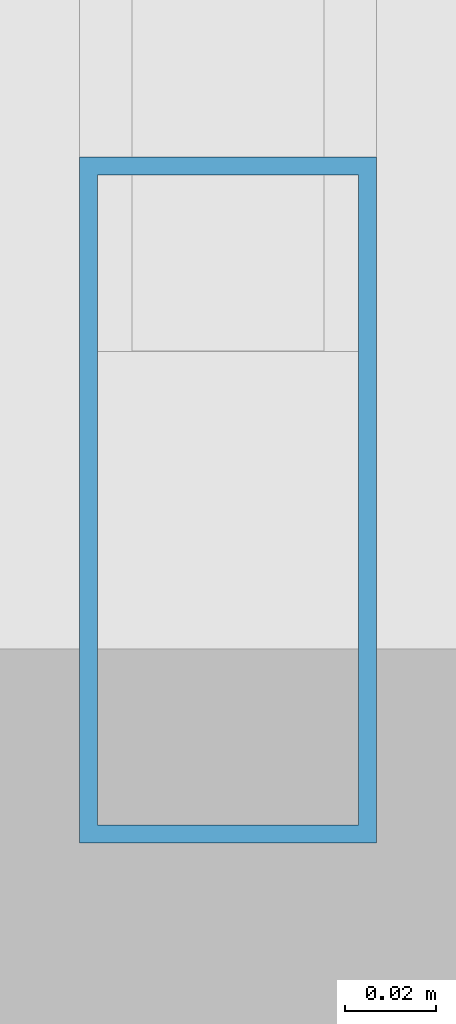
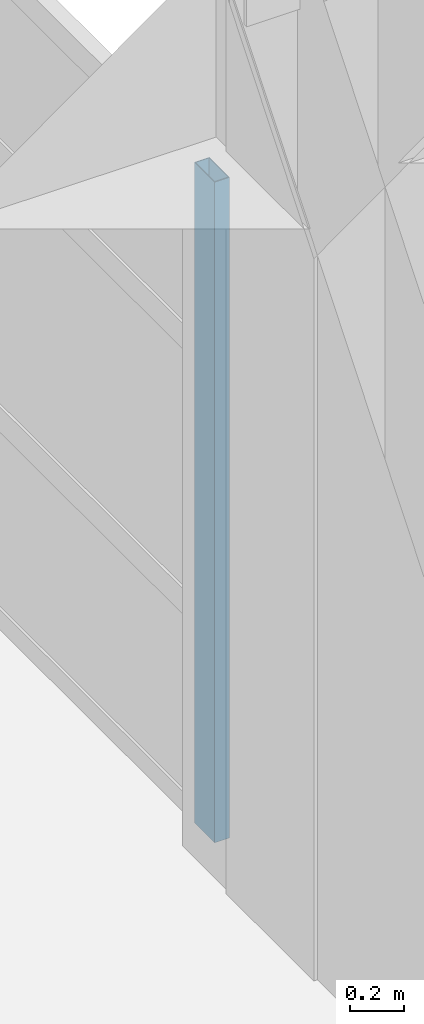
# One storey, part 13 of 78: 1 member, 1 element without a shape of its own.
"""IFC4 building model written with IfcOpenShell, lengths in metres."""

from ifc_helpers import new_model, si_unit, direction, frame, origin, origin_2d, place, context, subcontext, project, spatial, hollow_rectangle, extrude, material, layer, layer_set, material_profile, profile_set, type_object, element, aggregate, save


model = new_model("IFC4")

# Units and contexts
model_context = context("Model", 3, precision=1e-05, world=origin(), true_north=direction((0.0, 1.0)))
body_context = subcontext(model_context, "Body", "Model", "MODEL_VIEW")
ifc_project = project(units=[si_unit("LENGTHUNIT", "METRE"), si_unit("AREAUNIT", "SQUARE_METRE"), si_unit("VOLUMEUNIT", "CUBIC_METRE"), si_unit("PLANEANGLEUNIT", "RADIAN"), si_unit("MASSUNIT", "GRAM", prefix="KILO")], contexts=[model_context])

# Site, building, storey
site_placement = place(None, origin())
site = spatial("IfcSite", under=ifc_project, at=site_placement, CompositionType="ELEMENT")
building_placement = place(site_placement, origin())
building = spatial("IfcBuilding", under=site, at=building_placement, Name="Quendrovan Civic Courthouse", CompositionType="ELEMENT")
storey_placement = place(building_placement, frame((0.0, 0.0, 20.39990234375)))
storey = spatial("IfcBuildingStorey", under=building, at=storey_placement, Name="L05", CompositionType="ELEMENT", Elevation=20.39990234375)

# Curtain wall, member
ifc_material_1 = material(Name="Bronze anodised aluminium and low-E glass", Category="aluminium")
ifc_layer = layer(ifc_material_1, 0.179931640625, Name="Bronze anodised aluminium and low-E glass")
ifc_layer_set = layer_set([ifc_layer], Name="Bronze anodised aluminium and low-E glass")
curtain_wall_type = type_object("IfcCurtainWallType", Name="CW-U72x30", PredefinedType="USERDEFINED", material=ifc_layer_set)
curtain_wall_placement = place(storey_placement, origin())
curtain_wall = element("IfcCurtainWall", 1, at=curtain_wall_placement, inside=storey, type_object=curtain_wall_type, Name="L05 Unitised Hurricane Curtain Wall CW-187", ObjectType="UNITISED CURTAIN WALL", PredefinedType="USERDEFINED")
ifc_material_2 = material(Name="Bronze anodised aluminium", Category="aluminium")
ifc_material_profile = material_profile(ifc_material_2, hollow_rectangle(XDim=0.06494140625, YDim=0.14990234375, WallThickness=0.00390625, at=origin_2d()), Name="CW-MULL-65x150")
ifc_profile_set = profile_set([ifc_material_profile], Name="Bronze anodised aluminium")
member_type = type_object("IfcMemberType", Name="CW-MULL-B", PredefinedType="MULLION", material=ifc_profile_set)
member_placement = place(storey_placement, frame((16.635009765625, 31.907470703125, 0.0), z_axis=(0.0, 0.0, 1.0), x_axis=(1.0, 0.0, 0.0)))
member = element("IfcMember", 2, at=member_placement, type_object=member_type, Name="CW-187 mullion 5", PredefinedType="MULLION", context=body_context, shape_type="SweptSolid", body=[
    extrude(hollow_rectangle(XDim=0.06494140625, YDim=0.14990234375, WallThickness=0.00390625, at=origin_2d()), origin(), (0.0, 0.0, 1.0), 2.989990234375),
])
aggregate(curtain_wall, [member])

save(model, "model.ifc")
